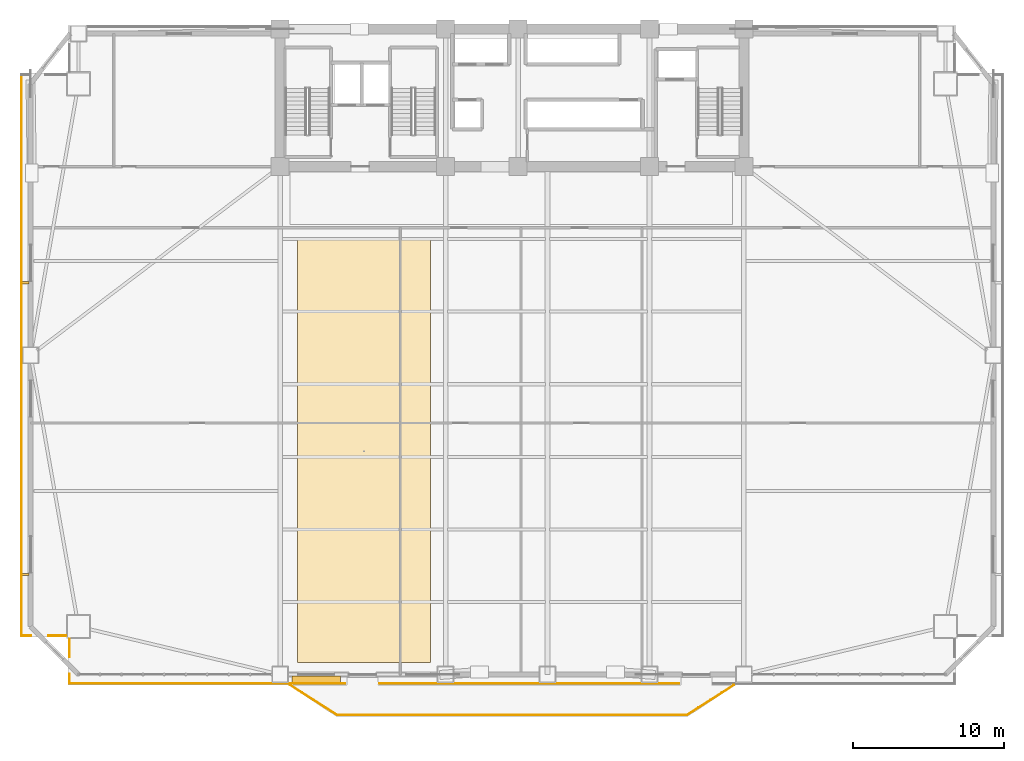
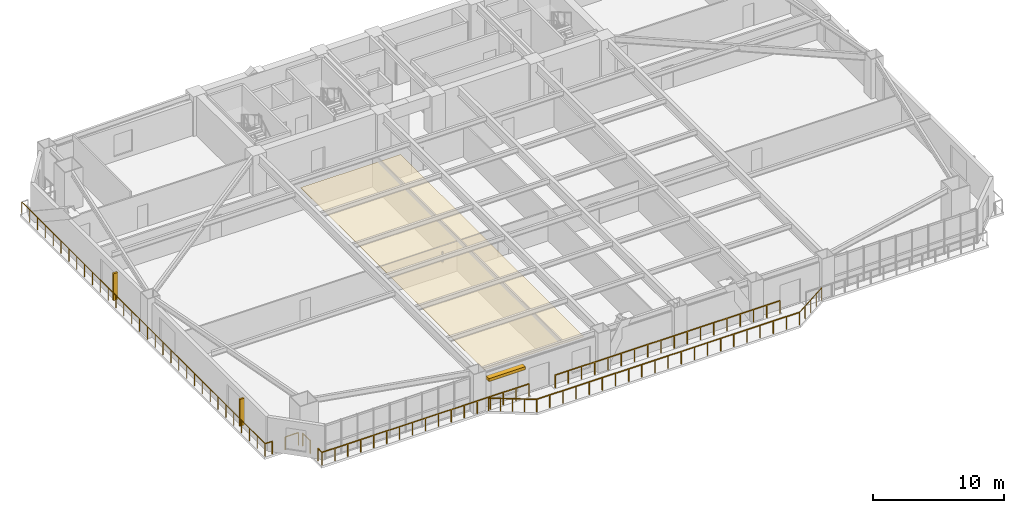
# One storey, part 13 of 17: 10 railings, 3 shading devices, 1 covering.
"""IFC4 building model written with IfcOpenShell, lengths in metres."""

from ifc_helpers import new_model, si_unit, direction, frame, origin, origin_2d, place, context, subcontext, project, spatial, polyline, rectangle, outline, extrude, source, transform, mapped, material, layer, layer_set, type_object, element, save


model = new_model("IFC4")

# Units and contexts
model_context = context("Model", 3, precision=1e-05, world=origin(), true_north=direction((0.0, 1.0)))
body_context = subcontext(model_context, "Body", "Model", "MODEL_VIEW")
ifc_project = project(units=[si_unit("LENGTHUNIT", "METRE"), si_unit("AREAUNIT", "SQUARE_METRE"), si_unit("VOLUMEUNIT", "CUBIC_METRE"), si_unit("PLANEANGLEUNIT", "RADIAN"), si_unit("MASSUNIT", "GRAM", prefix="KILO")], contexts=[model_context])

# Site, building, storey
site_placement = place(None, origin())
site = spatial("IfcSite", under=ifc_project, at=site_placement, CompositionType="ELEMENT")
building_placement = place(site_placement, origin())
building = spatial("IfcBuilding", under=site, at=building_placement, Name="Giltprow Tower", CompositionType="ELEMENT")
storey_placement = place(building_placement, frame((0.0, 0.0, 37.10009765625)))
storey = spatial("IfcBuildingStorey", under=building, at=storey_placement, Name="L09", CompositionType="ELEMENT", Elevation=37.10009765625)

# Covering
ifc_material_1 = material(Name="Acoustic mineral fibre", Category="gypsum")
ifc_layer = layer(ifc_material_1, 0.030029296875, Name="Acoustic mineral fibre")
ifc_layer_set = layer_set([ifc_layer], Name="Acoustic mineral fibre")
covering_type = type_object("IfcCoveringType", Name="COV-CLG-ACOUSTIC", PredefinedType="CEILING", material=ifc_layer_set)
covering_placement = place(storey_placement, frame((0.0, 0.0, 2.719970703125)))
element("IfcCovering", 1, at=covering_placement, inside=storey, type_object=covering_type, Name="L09 Office Acoustic Ceiling", PredefinedType="CEILING", context=body_context, shape_type="SweptSolid", body=[
    extrude(outline(polyline([(21.0, 4.626953125), (29.800048828125, 4.626953125), (29.800048828125, 32.60009765625), (21.0, 32.60009765625), (21.0, 4.626953125)])), origin(), (0.0, 0.0, 1.0), 0.030029296875),
])

# Railings
ifc_material_2 = material(Name="Anodized bronze", Category="metal")
railing_type = type_object("IfcRailingType", Name="RAIL-BALC-GUARD-1200", PredefinedType="BALUSTRADE", material=ifc_material_2)
railing_1_placement = place(storey_placement, frame((20.52001953125, 3.126953125, 0.0)))
element("IfcRailing", 2, at=railing_1_placement, inside=storey, type_object=railing_type, Name="L09 Waterfront Balcony Balustrade Seg 1", PredefinedType="BALUSTRADE", context=body_context, shape_type="SweptSolid", body=[
    extrude(rectangle(XDim=0.048095703125, YDim=0.048095703125, at=origin_2d()), frame((0.0, 0.0, 1.17578125), z_axis=(0.84277487735, -0.538266203757, 0.0), x_axis=(0.538266203757, 0.84277487735, 0.0)), (0.0, 0.0, 1.0), 3.678466796875),
    extrude(rectangle(XDim=0.0419921875, YDim=0.0419921875, at=origin_2d()), origin(), (0.0, 0.0, 1.0), 1.15185546875),
    extrude(rectangle(XDim=0.0419921875, YDim=0.0419921875, at=origin_2d()), frame((0.77490234375, -0.4951171875, 0.0)), (0.0, 0.0, 1.0), 1.15185546875),
    extrude(rectangle(XDim=0.0419921875, YDim=0.0419921875, at=origin_2d()), frame((1.550048828125, -0.989990234375, 0.0)), (0.0, 0.0, 1.0), 1.15185546875),
    extrude(rectangle(XDim=0.0419921875, YDim=0.0419921875, at=origin_2d()), frame((2.3251953125, -1.48486328125, 0.0)), (0.0, 0.0, 1.0), 1.15185546875),
    extrude(rectangle(XDim=0.0419921875, YDim=0.0419921875, at=origin_2d()), frame((3.10009765625, -1.97998046875, 0.0)), (0.0, 0.0, 1.0), 1.15185546875),
])
railing_2_placement = place(storey_placement, frame((23.6201171875, 1.14697265625, 0.0)))
element("IfcRailing", 3, at=railing_2_placement, inside=storey, type_object=railing_type, Name="L09 Waterfront Balcony Balustrade Seg 2", PredefinedType="BALUSTRADE", context=body_context, shape_type="SweptSolid", body=[
    extrude(rectangle(XDim=0.048095703125, YDim=0.048095703125, at=origin_2d()), frame((0.0, 0.0, 1.17578125), z_axis=(1.0, 0.0, 0.0), x_axis=(0.0, 1.0, 0.0)), (0.0, 0.0, 1.0), 23.159912109375),
    extrude(rectangle(XDim=0.0419921875, YDim=0.0419921875, at=origin_2d()), origin(), (0.0, 0.0, 1.0), 1.15185546875),
    extrude(rectangle(XDim=0.0419921875, YDim=0.0419921875, at=origin_2d()), frame((1.157958984375, 0.0, 0.0)), (0.0, 0.0, 1.0), 1.15185546875),
    extrude(rectangle(XDim=0.0419921875, YDim=0.0419921875, at=origin_2d()), frame((2.31591796875, 0.0, 0.0)), (0.0, 0.0, 1.0), 1.15185546875),
    extrude(rectangle(XDim=0.0419921875, YDim=0.0419921875, at=origin_2d()), frame((3.473876953125, 0.0, 0.0)), (0.0, 0.0, 1.0), 1.15185546875),
    extrude(rectangle(XDim=0.0419921875, YDim=0.0419921875, at=origin_2d()), frame((4.632080078125, 0.0, 0.0)), (0.0, 0.0, 1.0), 1.15185546875),
    extrude(rectangle(XDim=0.0419921875, YDim=0.0419921875, at=origin_2d()), frame((5.7900390625, 0.0, 0.0)), (0.0, 0.0, 1.0), 1.15185546875),
    extrude(rectangle(XDim=0.0419921875, YDim=0.0419921875, at=origin_2d()), frame((6.947998046875, 0.0, 0.0)), (0.0, 0.0, 1.0), 1.15185546875),
    extrude(rectangle(XDim=0.0419921875, YDim=0.0419921875, at=origin_2d()), frame((8.10595703125, 0.0, 0.0)), (0.0, 0.0, 1.0), 1.15185546875),
    extrude(rectangle(XDim=0.0419921875, YDim=0.0419921875, at=origin_2d()), frame((9.263916015625, 0.0, 0.0)), (0.0, 0.0, 1.0), 1.15185546875),
    extrude(rectangle(XDim=0.0419921875, YDim=0.0419921875, at=origin_2d()), frame((10.421875, 0.0, 0.0)), (0.0, 0.0, 1.0), 1.15185546875),
    extrude(rectangle(XDim=0.0419921875, YDim=0.0419921875, at=origin_2d()), frame((11.580078125, 0.0, 0.0)), (0.0, 0.0, 1.0), 1.15185546875),
    extrude(rectangle(XDim=0.0419921875, YDim=0.0419921875, at=origin_2d()), frame((12.738037109375, 0.0, 0.0)), (0.0, 0.0, 1.0), 1.15185546875),
    extrude(rectangle(XDim=0.0419921875, YDim=0.0419921875, at=origin_2d()), frame((13.89599609375, 0.0, 0.0)), (0.0, 0.0, 1.0), 1.15185546875),
    extrude(rectangle(XDim=0.0419921875, YDim=0.0419921875, at=origin_2d()), frame((15.053955078125, 0.0, 0.0)), (0.0, 0.0, 1.0), 1.15185546875),
    extrude(rectangle(XDim=0.0419921875, YDim=0.0419921875, at=origin_2d()), frame((16.2119140625, 0.0, 0.0)), (0.0, 0.0, 1.0), 1.15185546875),
    extrude(rectangle(XDim=0.0419921875, YDim=0.0419921875, at=origin_2d()), frame((17.369873046875, 0.0, 0.0)), (0.0, 0.0, 1.0), 1.15185546875),
    extrude(rectangle(XDim=0.0419921875, YDim=0.0419921875, at=origin_2d()), frame((18.52783203125, 0.0, 0.0)), (0.0, 0.0, 1.0), 1.15185546875),
    extrude(rectangle(XDim=0.0419921875, YDim=0.0419921875, at=origin_2d()), frame((19.68603515625, 0.0, 0.0)), (0.0, 0.0, 1.0), 1.15185546875),
    extrude(rectangle(XDim=0.0419921875, YDim=0.0419921875, at=origin_2d()), frame((20.843994140625, 0.0, 0.0)), (0.0, 0.0, 1.0), 1.15185546875),
    extrude(rectangle(XDim=0.0419921875, YDim=0.0419921875, at=origin_2d()), frame((22.001953125, 0.0, 0.0)), (0.0, 0.0, 1.0), 1.15185546875),
    extrude(rectangle(XDim=0.0419921875, YDim=0.0419921875, at=origin_2d()), frame((23.159912109375, 0.0, 0.0)), (0.0, 0.0, 1.0), 1.15185546875),
])
railing_3_placement = place(storey_placement, frame((46.780029296875, 1.14697265625, 0.0)))
element("IfcRailing", 4, at=railing_3_placement, inside=storey, type_object=railing_type, Name="L09 Waterfront Balcony Balustrade Seg 3", PredefinedType="BALUSTRADE", context=body_context, shape_type="SweptSolid", body=[
    extrude(rectangle(XDim=0.048095703125, YDim=0.048095703125, at=origin_2d()), frame((0.0, 0.0, 1.17578125), z_axis=(0.842755646126, 0.538296313309, 0.0), x_axis=(-0.538296313309, 0.842755646126, 0.0)), (0.0, 0.0, 1.0), 3.67822265625),
    extrude(rectangle(XDim=0.0419921875, YDim=0.0419921875, at=origin_2d()), origin(), (0.0, 0.0, 1.0), 1.15185546875),
    extrude(rectangle(XDim=0.0419921875, YDim=0.0419921875, at=origin_2d()), frame((0.77490234375, 0.4951171875, 0.0)), (0.0, 0.0, 1.0), 1.15185546875),
    extrude(rectangle(XDim=0.0419921875, YDim=0.0419921875, at=origin_2d()), frame((1.5498046875, 0.989990234375, 0.0)), (0.0, 0.0, 1.0), 1.15185546875),
    extrude(rectangle(XDim=0.0419921875, YDim=0.0419921875, at=origin_2d()), frame((2.324951171875, 1.48486328125, 0.0)), (0.0, 0.0, 1.0), 1.15185546875),
    extrude(rectangle(XDim=0.0419921875, YDim=0.0419921875, at=origin_2d()), frame((3.099853515625, 1.97998046875, 0.0)), (0.0, 0.0, 1.0), 1.15185546875),
])
railing_4_placement = place(storey_placement, frame((5.908935546875, 3.22705078125, 0.0)))
element("IfcRailing", 5, at=railing_4_placement, inside=storey, type_object=railing_type, Name="L09 Corner Apron Edge Balustrade 1", PredefinedType="BALUSTRADE", context=body_context, shape_type="SweptSolid", body=[
    extrude(rectangle(XDim=0.048095703125, YDim=0.048095703125, at=origin_2d()), frame((0.0, 0.0, 1.17578125), z_axis=(0.0, 1.0, 0.0), x_axis=(-1.0, 0.0, 0.0)), (0.0, 0.0, 1.0), 0.619873046875),
    extrude(rectangle(XDim=0.0419921875, YDim=0.0419921875, at=origin_2d()), origin(), (0.0, 0.0, 1.0), 1.15185546875),
    extrude(rectangle(XDim=0.0419921875, YDim=0.0419921875, at=origin_2d()), frame((0.0, 0.619873046875, 0.0)), (0.0, 0.0, 1.0), 1.15185546875),
])
railing_5_placement = place(storey_placement, frame((5.908935546875, 5.007080078125, 0.0)))
element("IfcRailing", 6, at=railing_5_placement, inside=storey, type_object=railing_type, Name="L09 Corner Apron Edge Balustrade 2", PredefinedType="BALUSTRADE", context=body_context, shape_type="SweptSolid", body=[
    extrude(rectangle(XDim=0.048095703125, YDim=0.048095703125, at=origin_2d()), frame((0.0, 0.0, 1.17578125), z_axis=(0.0, 1.0, 0.0), x_axis=(-1.0, 0.0, 0.0)), (0.0, 0.0, 1.0), 1.158935546875),
    extrude(rectangle(XDim=0.0419921875, YDim=0.0419921875, at=origin_2d()), origin(), (0.0, 0.0, 1.0), 1.15185546875),
    extrude(rectangle(XDim=0.0419921875, YDim=0.0419921875, at=origin_2d()), frame((0.0, 1.158935546875, 0.0)), (0.0, 0.0, 1.0), 1.15185546875),
])
railing_6_placement = place(storey_placement, frame((5.674072265625, 6.39990234375, 0.0)))
element("IfcRailing", 7, at=railing_6_placement, inside=storey, type_object=railing_type, Name="L09 Corner Apron Edge Balustrade 3", PredefinedType="BALUSTRADE", context=body_context, shape_type="SweptSolid", body=[
    extrude(rectangle(XDim=0.048095703125, YDim=0.048095703125, at=origin_2d()), frame((0.0, 0.0, 1.17578125), z_axis=(-1.0, 0.0, 0.0), x_axis=(0.0, -1.0, 0.0)), (0.0, 0.0, 1.0), 1.157958984375),
    extrude(rectangle(XDim=0.0419921875, YDim=0.0419921875, at=origin_2d()), origin(), (0.0, 0.0, 1.0), 1.15185546875),
    extrude(rectangle(XDim=0.0419921875, YDim=0.0419921875, at=origin_2d()), frame((-1.157958984375, 0.0, 0.0)), (0.0, 0.0, 1.0), 1.15185546875),
])
railing_7_placement = place(storey_placement, frame((3.35595703125, 6.39990234375, 0.0)))
element("IfcRailing", 8, at=railing_7_placement, inside=storey, type_object=railing_type, Name="L09 Corner Apron Edge Balustrade 4", PredefinedType="BALUSTRADE", context=body_context, shape_type="SweptSolid", body=[
    extrude(rectangle(XDim=0.048095703125, YDim=0.048095703125, at=origin_2d()), frame((0.0, 0.0, 1.17578125), z_axis=(-1.0, 0.0, 0.0), x_axis=(0.0, -1.0, 0.0)), (0.0, 0.0, 1.0), 0.620849609375),
    extrude(rectangle(XDim=0.0419921875, YDim=0.0419921875, at=origin_2d()), origin(), (0.0, 0.0, 1.0), 1.15185546875),
    extrude(rectangle(XDim=0.0419921875, YDim=0.0419921875, at=origin_2d()), frame((-0.620849609375, 0.0, 0.0)), (0.0, 0.0, 1.0), 1.15185546875),
])
railing_8_placement = place(storey_placement, frame((2.735107421875, 6.39990234375, 0.0)))
element("IfcRailing", 9, at=railing_8_placement, inside=storey, type_object=railing_type, Name="L09 Corner Apron Edge Balustrade 5", PredefinedType="BALUSTRADE", context=body_context, shape_type="SweptSolid", body=[
    extrude(rectangle(XDim=0.048095703125, YDim=0.048095703125, at=origin_2d()), frame((0.0, 0.0, 1.17578125), z_axis=(0.0, 1.0, 0.0), x_axis=(-1.0, 0.0, 0.0)), (0.0, 0.0, 1.0), 37.1259765625),
    extrude(rectangle(XDim=0.0419921875, YDim=0.0419921875, at=origin_2d()), origin(), (0.0, 0.0, 1.0), 1.15185546875),
    extrude(rectangle(XDim=0.0419921875, YDim=0.0419921875, at=origin_2d()), frame((0.0, 1.197509765625, 0.0)), (0.0, 0.0, 1.0), 1.15185546875),
    extrude(rectangle(XDim=0.0419921875, YDim=0.0419921875, at=origin_2d()), frame((0.0, 2.395263671875, 0.0)), (0.0, 0.0, 1.0), 1.15185546875),
    extrude(rectangle(XDim=0.0419921875, YDim=0.0419921875, at=origin_2d()), frame((0.0, 3.5927734375, 0.0)), (0.0, 0.0, 1.0), 1.15185546875),
    extrude(rectangle(XDim=0.0419921875, YDim=0.0419921875, at=origin_2d()), frame((0.0, 4.79052734375, 0.0)), (0.0, 0.0, 1.0), 1.15185546875),
    extrude(rectangle(XDim=0.0419921875, YDim=0.0419921875, at=origin_2d()), frame((0.0, 5.988037109375, 0.0)), (0.0, 0.0, 1.0), 1.15185546875),
    extrude(rectangle(XDim=0.0419921875, YDim=0.0419921875, at=origin_2d()), frame((0.0, 7.185791015625, 0.0)), (0.0, 0.0, 1.0), 1.15185546875),
    extrude(rectangle(XDim=0.0419921875, YDim=0.0419921875, at=origin_2d()), frame((0.0, 8.38330078125, 0.0)), (0.0, 0.0, 1.0), 1.15185546875),
    extrude(rectangle(XDim=0.0419921875, YDim=0.0419921875, at=origin_2d()), frame((0.0, 9.580810546875, 0.0)), (0.0, 0.0, 1.0), 1.15185546875),
    extrude(rectangle(XDim=0.0419921875, YDim=0.0419921875, at=origin_2d()), frame((0.0, 10.778564453125, 0.0)), (0.0, 0.0, 1.0), 1.15185546875),
    extrude(rectangle(XDim=0.0419921875, YDim=0.0419921875, at=origin_2d()), frame((0.0, 11.97607421875, 0.0)), (0.0, 0.0, 1.0), 1.15185546875),
    extrude(rectangle(XDim=0.0419921875, YDim=0.0419921875, at=origin_2d()), frame((0.0, 13.173828125, 0.0)), (0.0, 0.0, 1.0), 1.15185546875),
    extrude(rectangle(XDim=0.0419921875, YDim=0.0419921875, at=origin_2d()), frame((0.0, 14.371337890625, 0.0)), (0.0, 0.0, 1.0), 1.15185546875),
    extrude(rectangle(XDim=0.0419921875, YDim=0.0419921875, at=origin_2d()), frame((0.0, 15.56884765625, 0.0)), (0.0, 0.0, 1.0), 1.15185546875),
    extrude(rectangle(XDim=0.0419921875, YDim=0.0419921875, at=origin_2d()), frame((0.0, 16.7666015625, 0.0)), (0.0, 0.0, 1.0), 1.15185546875),
    extrude(rectangle(XDim=0.0419921875, YDim=0.0419921875, at=origin_2d()), frame((0.0, 17.964111328125, 0.0)), (0.0, 0.0, 1.0), 1.15185546875),
    extrude(rectangle(XDim=0.0419921875, YDim=0.0419921875, at=origin_2d()), frame((0.0, 19.161865234375, 0.0)), (0.0, 0.0, 1.0), 1.15185546875),
    extrude(rectangle(XDim=0.0419921875, YDim=0.0419921875, at=origin_2d()), frame((0.0, 20.359375, 0.0)), (0.0, 0.0, 1.0), 1.15185546875),
    extrude(rectangle(XDim=0.0419921875, YDim=0.0419921875, at=origin_2d()), frame((0.0, 21.55712890625, 0.0)), (0.0, 0.0, 1.0), 1.15185546875),
    extrude(rectangle(XDim=0.0419921875, YDim=0.0419921875, at=origin_2d()), frame((0.0, 22.754638671875, 0.0)), (0.0, 0.0, 1.0), 1.15185546875),
    extrude(rectangle(XDim=0.0419921875, YDim=0.0419921875, at=origin_2d()), frame((0.0, 23.9521484375, 0.0)), (0.0, 0.0, 1.0), 1.15185546875),
    extrude(rectangle(XDim=0.0419921875, YDim=0.0419921875, at=origin_2d()), frame((0.0, 25.14990234375, 0.0)), (0.0, 0.0, 1.0), 1.15185546875),
    extrude(rectangle(XDim=0.0419921875, YDim=0.0419921875, at=origin_2d()), frame((0.0, 26.347412109375, 0.0)), (0.0, 0.0, 1.0), 1.15185546875),
    extrude(rectangle(XDim=0.0419921875, YDim=0.0419921875, at=origin_2d()), frame((0.0, 27.545166015625, 0.0)), (0.0, 0.0, 1.0), 1.15185546875),
    extrude(rectangle(XDim=0.0419921875, YDim=0.0419921875, at=origin_2d()), frame((0.0, 28.74267578125, 0.0)), (0.0, 0.0, 1.0), 1.15185546875),
    extrude(rectangle(XDim=0.0419921875, YDim=0.0419921875, at=origin_2d()), frame((0.0, 29.940185546875, 0.0)), (0.0, 0.0, 1.0), 1.15185546875),
    extrude(rectangle(XDim=0.0419921875, YDim=0.0419921875, at=origin_2d()), frame((0.0, 31.137939453125, 0.0)), (0.0, 0.0, 1.0), 1.15185546875),
    extrude(rectangle(XDim=0.0419921875, YDim=0.0419921875, at=origin_2d()), frame((0.0, 32.33544921875, 0.0)), (0.0, 0.0, 1.0), 1.15185546875),
    extrude(rectangle(XDim=0.0419921875, YDim=0.0419921875, at=origin_2d()), frame((0.0, 33.533203125, 0.0)), (0.0, 0.0, 1.0), 1.15185546875),
    extrude(rectangle(XDim=0.0419921875, YDim=0.0419921875, at=origin_2d()), frame((0.0, 34.730712890625, 0.0)), (0.0, 0.0, 1.0), 1.15185546875),
    extrude(rectangle(XDim=0.0419921875, YDim=0.0419921875, at=origin_2d()), frame((0.0, 35.928466796875, 0.0)), (0.0, 0.0, 1.0), 1.15185546875),
    extrude(rectangle(XDim=0.0419921875, YDim=0.0419921875, at=origin_2d()), frame((0.0, 37.1259765625, 0.0)), (0.0, 0.0, 1.0), 1.15185546875),
])
railing_9_placement = place(storey_placement, frame((46.25, 3.22705078125, 0.0)))
element("IfcRailing", 10, at=railing_9_placement, inside=storey, type_object=railing_type, Name="L09 Corner Apron Edge Balustrade 20", PredefinedType="BALUSTRADE", context=body_context, shape_type="SweptSolid", body=[
    extrude(rectangle(XDim=0.048095703125, YDim=0.048095703125, at=origin_2d()), frame((0.0, 0.0, 1.17578125), z_axis=(-1.0, 0.0, 0.0), x_axis=(0.0, -1.0, 0.0)), (0.0, 0.0, 1.0), 19.800048828125),
    extrude(rectangle(XDim=0.0419921875, YDim=0.0419921875, at=origin_2d()), origin(), (0.0, 0.0, 1.0), 1.15185546875),
    extrude(rectangle(XDim=0.0419921875, YDim=0.0419921875, at=origin_2d()), frame((-1.164794921875, 0.0, 0.0)), (0.0, 0.0, 1.0), 1.15185546875),
    extrude(rectangle(XDim=0.0419921875, YDim=0.0419921875, at=origin_2d()), frame((-2.329345703125, 0.0, 0.0)), (0.0, 0.0, 1.0), 1.15185546875),
    extrude(rectangle(XDim=0.0419921875, YDim=0.0419921875, at=origin_2d()), frame((-3.494140625, 0.0, 0.0)), (0.0, 0.0, 1.0), 1.15185546875),
    extrude(rectangle(XDim=0.0419921875, YDim=0.0419921875, at=origin_2d()), frame((-4.658935546875, 0.0, 0.0)), (0.0, 0.0, 1.0), 1.15185546875),
    extrude(rectangle(XDim=0.0419921875, YDim=0.0419921875, at=origin_2d()), frame((-5.823486328125, 0.0, 0.0)), (0.0, 0.0, 1.0), 1.15185546875),
    extrude(rectangle(XDim=0.0419921875, YDim=0.0419921875, at=origin_2d()), frame((-6.98828125, 0.0, 0.0)), (0.0, 0.0, 1.0), 1.15185546875),
    extrude(rectangle(XDim=0.0419921875, YDim=0.0419921875, at=origin_2d()), frame((-8.153076171875, 0.0, 0.0)), (0.0, 0.0, 1.0), 1.15185546875),
    extrude(rectangle(XDim=0.0419921875, YDim=0.0419921875, at=origin_2d()), frame((-9.317626953125, 0.0, 0.0)), (0.0, 0.0, 1.0), 1.15185546875),
    extrude(rectangle(XDim=0.0419921875, YDim=0.0419921875, at=origin_2d()), frame((-10.482421875, 0.0, 0.0)), (0.0, 0.0, 1.0), 1.15185546875),
    extrude(rectangle(XDim=0.0419921875, YDim=0.0419921875, at=origin_2d()), frame((-11.64697265625, 0.0, 0.0)), (0.0, 0.0, 1.0), 1.15185546875),
    extrude(rectangle(XDim=0.0419921875, YDim=0.0419921875, at=origin_2d()), frame((-12.811767578125, 0.0, 0.0)), (0.0, 0.0, 1.0), 1.15185546875),
    extrude(rectangle(XDim=0.0419921875, YDim=0.0419921875, at=origin_2d()), frame((-13.9765625, 0.0, 0.0)), (0.0, 0.0, 1.0), 1.15185546875),
    extrude(rectangle(XDim=0.0419921875, YDim=0.0419921875, at=origin_2d()), frame((-15.14111328125, 0.0, 0.0)), (0.0, 0.0, 1.0), 1.15185546875),
    extrude(rectangle(XDim=0.0419921875, YDim=0.0419921875, at=origin_2d()), frame((-16.305908203125, 0.0, 0.0)), (0.0, 0.0, 1.0), 1.15185546875),
    extrude(rectangle(XDim=0.0419921875, YDim=0.0419921875, at=origin_2d()), frame((-17.470703125, 0.0, 0.0)), (0.0, 0.0, 1.0), 1.15185546875),
    extrude(rectangle(XDim=0.0419921875, YDim=0.0419921875, at=origin_2d()), frame((-18.63525390625, 0.0, 0.0)), (0.0, 0.0, 1.0), 1.15185546875),
    extrude(rectangle(XDim=0.0419921875, YDim=0.0419921875, at=origin_2d()), frame((-19.800048828125, 0.0, 0.0)), (0.0, 0.0, 1.0), 1.15185546875),
])
railing_10_placement = place(storey_placement, frame((24.14990234375, 3.22705078125, 0.0)))
element("IfcRailing", 11, at=railing_10_placement, inside=storey, type_object=railing_type, Name="L09 Corner Apron Edge Balustrade 21", PredefinedType="BALUSTRADE", context=body_context, shape_type="SweptSolid", body=[
    extrude(rectangle(XDim=0.048095703125, YDim=0.048095703125, at=origin_2d()), frame((0.0, 0.0, 1.17578125), z_axis=(-1.0, 0.0, 0.0), x_axis=(0.0, -1.0, 0.0)), (0.0, 0.0, 1.0), 18.240966796875),
    extrude(rectangle(XDim=0.0419921875, YDim=0.0419921875, at=origin_2d()), origin(), (0.0, 0.0, 1.0), 1.15185546875),
    extrude(rectangle(XDim=0.0419921875, YDim=0.0419921875, at=origin_2d()), frame((-1.14013671875, 0.0, 0.0)), (0.0, 0.0, 1.0), 1.15185546875),
    extrude(rectangle(XDim=0.0419921875, YDim=0.0419921875, at=origin_2d()), frame((-2.280029296875, 0.0, 0.0)), (0.0, 0.0, 1.0), 1.15185546875),
    extrude(rectangle(XDim=0.0419921875, YDim=0.0419921875, at=origin_2d()), frame((-3.420166015625, 0.0, 0.0)), (0.0, 0.0, 1.0), 1.15185546875),
    extrude(rectangle(XDim=0.0419921875, YDim=0.0419921875, at=origin_2d()), frame((-4.560302734375, 0.0, 0.0)), (0.0, 0.0, 1.0), 1.15185546875),
    extrude(rectangle(XDim=0.0419921875, YDim=0.0419921875, at=origin_2d()), frame((-5.7001953125, 0.0, 0.0)), (0.0, 0.0, 1.0), 1.15185546875),
    extrude(rectangle(XDim=0.0419921875, YDim=0.0419921875, at=origin_2d()), frame((-6.84033203125, 0.0, 0.0)), (0.0, 0.0, 1.0), 1.15185546875),
    extrude(rectangle(XDim=0.0419921875, YDim=0.0419921875, at=origin_2d()), frame((-7.98046875, 0.0, 0.0)), (0.0, 0.0, 1.0), 1.15185546875),
    extrude(rectangle(XDim=0.0419921875, YDim=0.0419921875, at=origin_2d()), frame((-9.12060546875, 0.0, 0.0)), (0.0, 0.0, 1.0), 1.15185546875),
    extrude(rectangle(XDim=0.0419921875, YDim=0.0419921875, at=origin_2d()), frame((-10.260498046875, 0.0, 0.0)), (0.0, 0.0, 1.0), 1.15185546875),
    extrude(rectangle(XDim=0.0419921875, YDim=0.0419921875, at=origin_2d()), frame((-11.400634765625, 0.0, 0.0)), (0.0, 0.0, 1.0), 1.15185546875),
    extrude(rectangle(XDim=0.0419921875, YDim=0.0419921875, at=origin_2d()), frame((-12.540771484375, 0.0, 0.0)), (0.0, 0.0, 1.0), 1.15185546875),
    extrude(rectangle(XDim=0.0419921875, YDim=0.0419921875, at=origin_2d()), frame((-13.6806640625, 0.0, 0.0)), (0.0, 0.0, 1.0), 1.15185546875),
    extrude(rectangle(XDim=0.0419921875, YDim=0.0419921875, at=origin_2d()), frame((-14.82080078125, 0.0, 0.0)), (0.0, 0.0, 1.0), 1.15185546875),
    extrude(rectangle(XDim=0.0419921875, YDim=0.0419921875, at=origin_2d()), frame((-15.9609375, 0.0, 0.0)), (0.0, 0.0, 1.0), 1.15185546875),
    extrude(rectangle(XDim=0.0419921875, YDim=0.0419921875, at=origin_2d()), frame((-17.100830078125, 0.0, 0.0)), (0.0, 0.0, 1.0), 1.15185546875),
    extrude(rectangle(XDim=0.0419921875, YDim=0.0419921875, at=origin_2d()), frame((-18.240966796875, 0.0, 0.0)), (0.0, 0.0, 1.0), 1.15185546875),
])

# Shading devices
shading_device_type_1 = type_object("IfcShadingDeviceType", Name="SHD-FIN-420", PredefinedType="USERDEFINED", material=ifc_material_2)
shared_shape_1 = source(origin(), body_context, "Body", "SweptSolid", [
    extrude(rectangle(XDim=0.419921875, YDim=0.159912109375, at=origin_2d()), origin(), (0.0, 0.0, 1.0), 2.5),
])
for number, where, z_axis, x_axis, name in (
    (12, (3.014892578125, 10.447998046875, 0.349853515625), (0.0, 0.0, 1.0), (1.0, 0.0, 0.0), "L09 W Bronze Vertical Fin 1-1"),
    (13, (3.014892578125, 29.7490234375, 0.349853515625), (0.0, 0.0, 1.0), (1.0, 0.0, 0.0), "L09 W Bronze Vertical Fin 2-1"),
):
    element("IfcShadingDevice", number, at=place(storey_placement, frame(where, z_axis=z_axis, x_axis=x_axis)), inside=storey, type_object=shading_device_type_1, Name=name, ObjectType="FIN", PredefinedType="USERDEFINED", context=body_context, shape_type="MappedRepresentation", body=[
        mapped(shared_shape_1, transform((0.0, 0.0, 0.0), x_axis=(1.0, 0.0, 0.0), y_axis=(0.0, 1.0, 0.0), z_axis=(0.0, 0.0, 1.0), scale=1.0)),
    ])
shading_device_type_2 = type_object("IfcShadingDeviceType", Name="SHD-LOUVRE-320", PredefinedType="JALOUSIE", material=ifc_material_2)
shared_shape_2 = source(origin(), body_context, "Body", "SweptSolid", [
    extrude(rectangle(XDim=3.199951171875, YDim=0.449951171875, at=origin_2d()), origin(), (0.0, 0.0, 1.0), 0.280029296875),
])
shading_device_placement = place(storey_placement, frame((22.25, 3.507080078125, 2.56005859375), z_axis=(0.0, 0.0, 1.0), x_axis=(1.0, 0.0, 0.0)))
element("IfcShadingDevice", 14, at=shading_device_placement, inside=storey, type_object=shading_device_type_2, Name="L09 Bronze Sunshade Louvre S-2", PredefinedType="JALOUSIE", context=body_context, shape_type="MappedRepresentation", body=[
    mapped(shared_shape_2, transform((0.0, 0.0, 0.0), x_axis=(1.0, 0.0, 0.0), y_axis=(0.0, 1.0, 0.0), z_axis=(0.0, 0.0, 1.0), scale=1.0)),
])

save(model, "model.ifc")
